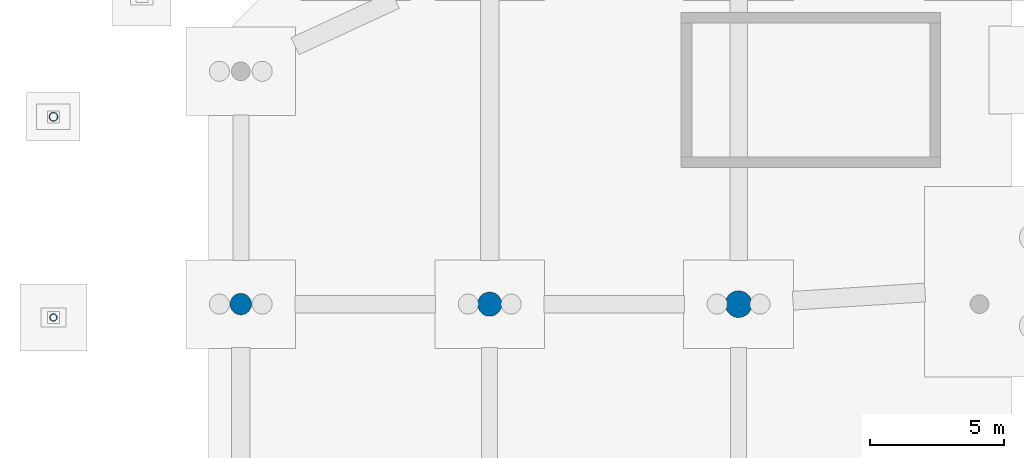
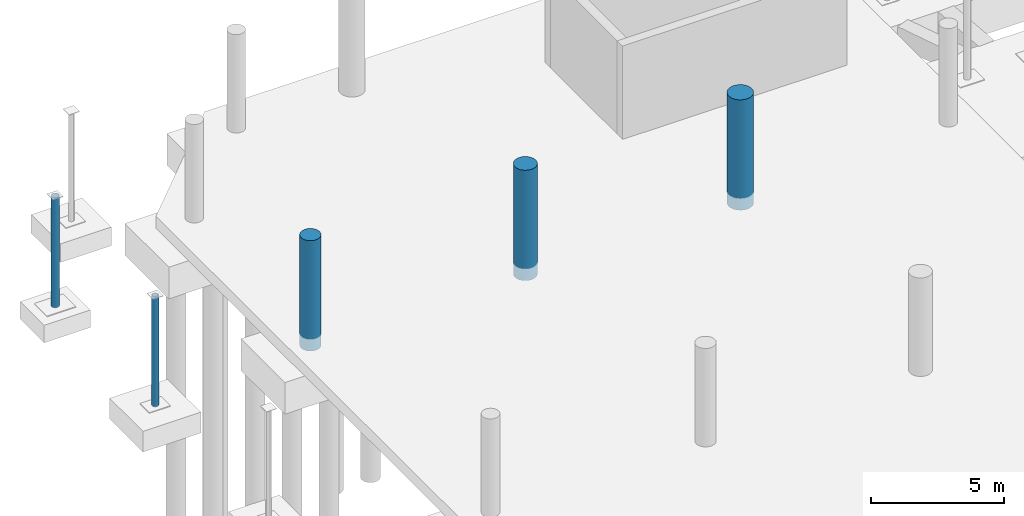
# One storey, part 17 of 55: 5 columns.
"""IFC4 building model written with IfcOpenShell, lengths in metres."""

from ifc_helpers import new_model, si_unit, direction, frame, origin, origin_2d, place, context, subcontext, project, spatial, circle, hollow_circle, extrude, material, material_profile, profile_set, type_object, element, save


model = new_model("IFC4")

# Units and contexts
model_context = context("Model", 3, precision=1e-05, world=origin(), true_north=direction((0.0, 1.0)))
body_context = subcontext(model_context, "Body", "Model", "MODEL_VIEW")
ifc_project = project(units=[si_unit("LENGTHUNIT", "METRE"), si_unit("AREAUNIT", "SQUARE_METRE"), si_unit("VOLUMEUNIT", "CUBIC_METRE"), si_unit("PLANEANGLEUNIT", "RADIAN"), si_unit("MASSUNIT", "GRAM", prefix="KILO")], contexts=[model_context])

# Site, building, storey
site_placement = place(None, origin())
site = spatial("IfcSite", under=ifc_project, at=site_placement, CompositionType="ELEMENT")
building_placement = place(site_placement, origin())
building = spatial("IfcBuilding", under=site, at=building_placement, Name="Sohan Crest Arena", CompositionType="ELEMENT")
storey_placement = place(building_placement, frame((0.0, 0.0, -4.5)))
storey = spatial("IfcBuildingStorey", under=building, at=storey_placement, Name="B1", CompositionType="ELEMENT", Elevation=-4.5)

# Columns
ifc_material_1 = material(Name="Concrete C40/50", Category="concrete")
ifc_material_profile_1 = material_profile(ifc_material_1, circle(Radius=0.39990234375, at=origin_2d()), Name="RC D800")
ifc_profile_set_1 = profile_set([ifc_material_profile_1], Name="Concrete C40/50")
column_type_1 = type_object("IfcColumnType", Name="STR-COL-C14", PredefinedType="COLUMN", material=ifc_profile_set_1)
column_1_placement = place(storey_placement, frame((15.199951171875, 91.5, -0.550048828125), z_axis=(0.0, 0.0, 1.0), x_axis=(1.0, 0.0, 0.0)))
element("IfcColumn", 1, at=column_1_placement, inside=storey, type_object=column_type_1, Name="Structural column COL-V3C-14-B1", PredefinedType="COLUMN", context=body_context, shape_type="SweptSolid", body=[
    extrude(circle(Radius=0.39990234375, at=origin_2d()), origin(), (0.0, 0.0, 1.0), 5.050048828125),
])
ifc_material_profile_2 = material_profile(ifc_material_1, circle(Radius=0.449951171875, at=origin_2d()), Name="RC D900")
ifc_profile_set_2 = profile_set([ifc_material_profile_2], Name="Concrete C40/50")
column_type_2 = type_object("IfcColumnType", Name="STR-COL-C15", PredefinedType="COLUMN", material=ifc_profile_set_2)
column_2_placement = place(storey_placement, frame((24.5, 91.5, -0.550048828125), z_axis=(0.0, 0.0, 1.0), x_axis=(1.0, 0.0, 0.0)))
element("IfcColumn", 2, at=column_2_placement, inside=storey, type_object=column_type_2, Name="Structural column COL-V3C-24-B1", PredefinedType="COLUMN", context=body_context, shape_type="SweptSolid", body=[
    extrude(circle(Radius=0.449951171875, at=origin_2d()), origin(), (0.0, 0.0, 1.0), 5.050048828125),
])
ifc_material_profile_3 = material_profile(ifc_material_1, circle(Radius=0.5, at=origin_2d()), Name="RC D1000")
ifc_profile_set_3 = profile_set([ifc_material_profile_3], Name="Concrete C40/50")
column_type_3 = type_object("IfcColumnType", Name="STR-COL-C16", PredefinedType="COLUMN", material=ifc_profile_set_3)
column_3_placement = place(storey_placement, frame((33.800048828125, 91.5, -0.550048828125), z_axis=(0.0, 0.0, 1.0), x_axis=(1.0, 0.0, 0.0)))
element("IfcColumn", 3, at=column_3_placement, inside=storey, type_object=column_type_3, Name="Structural column COL-V3C-34-B1", PredefinedType="COLUMN", context=body_context, shape_type="SweptSolid", body=[
    extrude(circle(Radius=0.5, at=origin_2d()), origin(), (0.0, 0.0, 1.0), 5.050048828125),
])
ifc_material_2 = material(Name="Steel S355", Category="steel")
ifc_material_profile_4 = material_profile(ifc_material_2, hollow_circle(Radius=0.136474609375, WallThickness=0.012451171875, at=origin_2d()), Name="CHS 273x12.5")
ifc_profile_set_4 = profile_set([ifc_material_profile_4], Name="Steel S355")
column_type_4 = type_object("IfcColumnType", Name="STR-COL-C25", PredefinedType="COLUMN", material=ifc_profile_set_4)
column_4_placement = place(storey_placement, frame((8.199951171875, 91.0, -0.550048828125), z_axis=(0.0, 0.0, 1.0), x_axis=(1.0, 0.0, 0.0)))
element("IfcColumn", 4, at=column_4_placement, inside=storey, type_object=column_type_4, Name="Structural column COL-V3P-04-B1", PredefinedType="COLUMN", context=body_context, shape_type="SweptSolid", body=[
    extrude(hollow_circle(Radius=0.136474609375, WallThickness=0.012451171875, at=origin_2d()), origin(), (0.0, 0.0, 1.0), 5.050048828125),
])
ifc_material_profile_5 = material_profile(ifc_material_2, hollow_circle(Radius=0.161865234375, WallThickness=0.012451171875, at=origin_2d()), Name="CHS 323.9x12.5")
ifc_profile_set_5 = profile_set([ifc_material_profile_5], Name="Steel S355")
column_type_5 = type_object("IfcColumnType", Name="STR-COL-C26", PredefinedType="COLUMN", material=ifc_profile_set_5)
column_5_placement = place(storey_placement, frame((8.199951171875, 98.5, -0.550048828125), z_axis=(0.0, 0.0, 1.0), x_axis=(1.0, 0.0, 0.0)))
element("IfcColumn", 5, at=column_5_placement, inside=storey, type_object=column_type_5, Name="Structural column COL-V3P-08-B1", PredefinedType="COLUMN", context=body_context, shape_type="SweptSolid", body=[
    extrude(hollow_circle(Radius=0.161865234375, WallThickness=0.012451171875, at=origin_2d()), origin(), (0.0, 0.0, 1.0), 5.050048828125),
])

save(model, "model.ifc")
